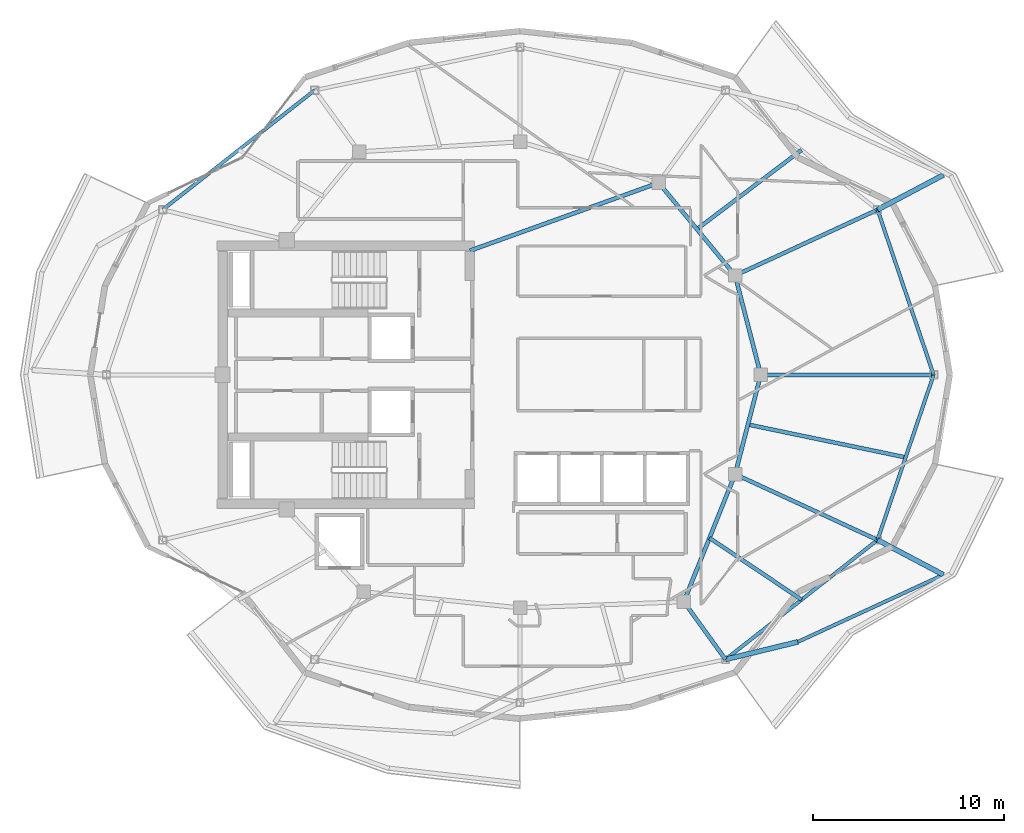
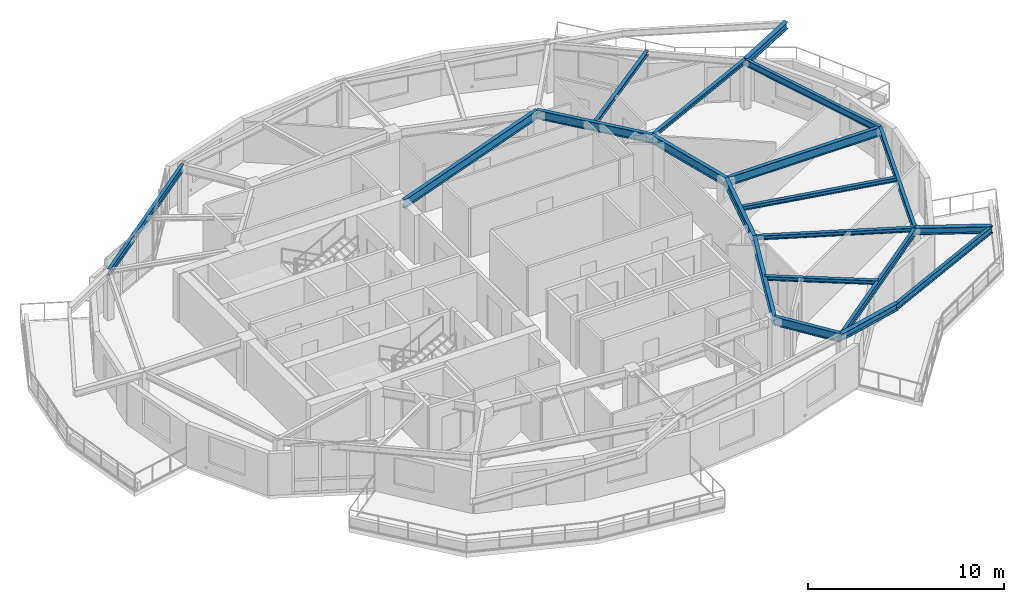
# One storey, part 4 of 14: 20 beams.
"""IFC4 building model written with IfcOpenShell, lengths in metres."""

from ifc_helpers import new_model, si_unit, direction, frame, origin, origin_2d, place, context, subcontext, project, spatial, i_section, extrude, material, material_profile, profile_set, type_object, element, save


model = new_model("IFC4")

# Units and contexts
model_context = context("Model", 3, precision=1e-05, world=origin(), true_north=direction((0.0, 1.0)))
body_context = subcontext(model_context, "Body", "Model", "MODEL_VIEW")
ifc_project = project(units=[si_unit("LENGTHUNIT", "METRE"), si_unit("AREAUNIT", "SQUARE_METRE"), si_unit("VOLUMEUNIT", "CUBIC_METRE"), si_unit("PLANEANGLEUNIT", "RADIAN"), si_unit("MASSUNIT", "GRAM", prefix="KILO")], contexts=[model_context])

# Site, building, storey
site_placement = place(None, origin())
site = spatial("IfcSite", under=ifc_project, at=site_placement, CompositionType="ELEMENT")
building_placement = place(site_placement, origin())
building = spatial("IfcBuilding", under=site, at=building_placement, Name="Kolvaren Gate Tower and Convention Centre", CompositionType="ELEMENT")
storey_placement = place(building_placement, frame((0.0, 0.0, 252.5)))
storey = spatial("IfcBuildingStorey", under=building, at=storey_placement, Name="L68", CompositionType="ELEMENT", Elevation=252.5)

# Beams
ifc_material = material(Name="Structural steel ASTM A992 Grade 345 MPa", Category="steel")
ifc_material_profile_1 = material_profile(ifc_material, i_section(OverallWidth=0.260009765625, OverallDepth=0.419921875, WebThickness=0.013427734375, FlangeThickness=0.0224609375, at=origin_2d()), Name="W410X132")
ifc_profile_set_1 = profile_set([ifc_material_profile_1], Name="Structural steel ASTM A992 Grade 345 MPa")
beam_type_1 = type_object("IfcBeamType", Name="STR-BM-W410X132", PredefinedType="BEAM", material=ifc_profile_set_1)
for number, where, z_axis, x_axis, name in (
    (1, (48.8388671875, 35.6435546875, 2.820556640625), (0.884160696862, 0.467182900077, 0.0), (-0.467182900077, 0.884160696862, 0.0), "Tower L69 Planted Balcony Outrigger Cantilever BC-1A"),
    (2, (40.877685546875, 12.100830078125, 2.820556640625), (0.971737499765, 0.236064041204, 0.0), (-0.236064041204, 0.971737499765, 0.0), "Tower L69 Planted Balcony Outrigger Cantilever BC-4A"),
    (3, (48.8388671875, 18.3564453125, 2.820556640625), (0.884160696862, -0.467182900077, 0.0), (0.467182900077, 0.884160696862, 0.0), "Tower L69 Planted Balcony Outrigger Cantilever BC-4B"),
):
    element("IfcBeam", number, at=place(storey_placement, frame(where, z_axis=z_axis, x_axis=x_axis)), inside=storey, type_object=beam_type_1, Name=name, PredefinedType="BEAM", context=body_context, shape_type="SweptSolid", body=[
        extrude(i_section(OverallWidth=0.260009765625, OverallDepth=0.419921875, WebThickness=0.013427734375, FlangeThickness=0.0224609375, at=origin_2d()), origin(), (0.0, 0.0, 1.0), 3.89990234375),
    ])
ifc_material_profile_2 = material_profile(ifc_material, i_section(OverallWidth=0.2119140625, OverallDepth=0.5439453125, WebThickness=0.01318359375, FlangeThickness=0.021240234375, at=origin_2d()), Name="W530X123")
ifc_profile_set_2 = profile_set([ifc_material_profile_2], Name="Structural steel ASTM A992 Grade 345 MPa")
beam_type_2 = type_object("IfcBeamType", Name="STR-BM-W530X123", PredefinedType="BEAM", material=ifc_profile_set_2)
beam_1_placement = place(storey_placement, frame((42.72509765625, 27.0, 2.758056640625), z_axis=(-0.250091133936, -0.968222301296, 0.0), x_axis=(0.968222301296, -0.250091133936, 0.0)))
element("IfcBeam", 4, at=beam_1_placement, inside=storey, type_object=beam_type_2, Name="Tower L68 Primary Ring Girder G-01", PredefinedType="BEAM", context=body_context, shape_type="SweptSolid", body=[
    extrude(i_section(OverallWidth=0.2119140625, OverallDepth=0.5439453125, WebThickness=0.01318359375, FlangeThickness=0.021240234375, at=origin_2d()), origin(), (0.0, 0.0, 1.0), 5.3701171875),
])
beam_2_placement = place(storey_placement, frame((41.382080078125, 32.199462890625, 2.758056640625), z_axis=(-0.635884066011, 0.771784590798, 0.0), x_axis=(-0.771784590798, -0.635884066011, 0.0)))
element("IfcBeam", 5, at=beam_2_placement, inside=storey, type_object=beam_type_2, Name="Tower L68 Primary Ring Girder G-02", PredefinedType="BEAM", context=body_context, shape_type="SweptSolid", body=[
    extrude(i_section(OverallWidth=0.2119140625, OverallDepth=0.5439453125, WebThickness=0.01318359375, FlangeThickness=0.021240234375, at=origin_2d()), origin(), (0.0, 0.0, 1.0), 6.291259765625),
])
beam_3_placement = place(storey_placement, frame((38.6982421875, 15.12060546875, 2.758056640625), z_axis=(0.372811100169, 0.927907260232, 0.0), x_axis=(-0.927907260232, 0.372811100169, 0.0)))
element("IfcBeam", 6, at=beam_3_placement, inside=storey, type_object=beam_type_2, Name="Tower L68 Primary Ring Girder G-09", PredefinedType="BEAM", context=body_context, shape_type="SweptSolid", body=[
    extrude(i_section(OverallWidth=0.2119140625, OverallDepth=0.5439453125, WebThickness=0.01318359375, FlangeThickness=0.021240234375, at=origin_2d()), origin(), (0.0, 0.0, 1.0), 7.198974609375),
])
beam_4_placement = place(storey_placement, frame((27.5, 33.5, 2.758056640625), z_axis=(0.940961479908, 0.338513653093, 0.0), x_axis=(-0.338513653093, 0.940961479908, 0.0)))
element("IfcBeam", 7, at=beam_4_placement, inside=storey, type_object=beam_type_2, Name="Tower L68 Primary Ring Girder G-10", PredefinedType="BEAM", context=body_context, shape_type="SweptSolid", body=[
    extrude(i_section(OverallWidth=0.2119140625, OverallDepth=0.5439453125, WebThickness=0.01318359375, FlangeThickness=0.021240234375, at=origin_2d()), origin(), (0.0, 0.0, 1.0), 10.501708984375),
])
beam_5_placement = place(storey_placement, frame((42.72509765625, 27.0, 2.758056640625), z_axis=(-0.250091133936, 0.968222301296, 0.0), x_axis=(-0.968222301296, -0.250091133936, 0.0)))
element("IfcBeam", 8, at=beam_5_placement, inside=storey, type_object=beam_type_2, Name="Tower L68 Primary Ring Girder G-12", PredefinedType="BEAM", context=body_context, shape_type="SweptSolid", body=[
    extrude(i_section(OverallWidth=0.2119140625, OverallDepth=0.5439453125, WebThickness=0.01318359375, FlangeThickness=0.021240234375, at=origin_2d()), origin(), (0.0, 0.0, 1.0), 5.3701171875),
])
beam_6_placement = place(storey_placement, frame((42.72509765625, 27.0, 2.758056640625), z_axis=(1.0, 0.0, 0.0), x_axis=(0.0, 1.0, 0.0)))
element("IfcBeam", 9, at=beam_6_placement, inside=storey, type_object=beam_type_2, Name="Tower L68 Radial Floor Girder RB-01", PredefinedType="BEAM", context=body_context, shape_type="SweptSolid", body=[
    extrude(i_section(OverallWidth=0.2119140625, OverallDepth=0.5439453125, WebThickness=0.01318359375, FlangeThickness=0.021240234375, at=origin_2d()), origin(), (0.0, 0.0, 1.0), 9.0498046875),
])
beam_7_placement = place(storey_placement, frame((38.6982421875, 15.12060546875, 2.758056640625), z_axis=(0.58522483817, -0.81087106792, 0.0), x_axis=(0.81087106792, 0.58522483817, 0.0)))
element("IfcBeam", 10, at=beam_7_placement, inside=storey, type_object=beam_type_2, Name="Tower L68 Radial Floor Girder RB-11", PredefinedType="BEAM", context=body_context, shape_type="SweptSolid", body=[
    extrude(i_section(OverallWidth=0.2119140625, OverallDepth=0.5439453125, WebThickness=0.01318359375, FlangeThickness=0.021240234375, at=origin_2d()), origin(), (0.0, 0.0, 1.0), 3.72412109375),
])
ifc_material_profile_3 = material_profile(ifc_material, i_section(OverallWidth=0.202880859375, OverallDepth=0.251953125, WebThickness=0.008056640625, FlangeThickness=0.013427734375, at=origin_2d()), Name="W250X58")
ifc_profile_set_3 = profile_set([ifc_material_profile_3], Name="Structural steel ASTM A992 Grade 345 MPa")
beam_type_3 = type_object("IfcBeamType", Name="STR-JS-W250X58", PredefinedType="JOIST", material=ifc_profile_set_3)
for number, where, z_axis, x_axis, name in (
    (11, (41.382080078125, 32.199462890625, 2.904052734375), (0.907843645886, 0.419308853502, 0.0), (-0.419308853502, 0.907843645886, 0.0), "Tower L68 Radial Floor Girder RB-02"),
    (12, (41.382080078125, 21.800537109375, 2.904052734375), (0.907843645886, -0.419308853502, 0.0), (0.419308853502, 0.907843645886, 0.0), "Tower L68 Radial Floor Girder RB-12"),
):
    element("IfcBeam", number, at=place(storey_placement, frame(where, z_axis=z_axis, x_axis=x_axis)), inside=storey, type_object=beam_type_3, Name=name, PredefinedType="JOIST", context=body_context, shape_type="SweptSolid", body=[
        extrude(i_section(OverallWidth=0.202880859375, OverallDepth=0.251953125, WebThickness=0.008056640625, FlangeThickness=0.013427734375, at=origin_2d()), origin(), (0.0, 0.0, 1.0), 8.213623046875),
    ])
beam_8_placement = place(storey_placement, frame((39.3818359375, 34.627197265625, 2.904052734375), z_axis=(0.797403149346, 0.603446946643, 0.0), x_axis=(-0.603446946643, 0.797403149346, 0.0)))
element("IfcBeam", 13, at=beam_8_placement, inside=storey, type_object=beam_type_3, Name="Tower L68 Secondary Composite Floor Joist J-02.1", PredefinedType="JOIST", context=body_context, shape_type="SweptSolid", body=[
    extrude(i_section(OverallWidth=0.202880859375, OverallDepth=0.251953125, WebThickness=0.008056640625, FlangeThickness=0.013427734375, at=origin_2d()), origin(), (0.0, 0.0, 1.0), 6.86767578125),
])
beam_9_placement = place(storey_placement, frame((40.040283203125, 18.46044921875, 2.904052734375), z_axis=(0.830454207472, -0.557086895638, 0.0), x_axis=(0.557086895638, 0.830454207472, 0.0)))
element("IfcBeam", 14, at=beam_9_placement, inside=storey, type_object=beam_type_3, Name="Tower L68 Secondary Composite Floor Joist J-11.1", PredefinedType="JOIST", context=body_context, shape_type="SweptSolid", body=[
    extrude(i_section(OverallWidth=0.202880859375, OverallDepth=0.251953125, WebThickness=0.008056640625, FlangeThickness=0.013427734375, at=origin_2d()), origin(), (0.0, 0.0, 1.0), 5.801513671875),
])
beam_10_placement = place(storey_placement, frame((42.0537109375, 24.400146484375, 2.904052734375), z_axis=(0.978920872293, -0.204239873163, 0.0), x_axis=(0.204239873163, 0.978920872293, 0.0)))
element("IfcBeam", 15, at=beam_10_placement, inside=storey, type_object=beam_type_3, Name="Tower L68 Secondary Composite Floor Joist J-12.1", PredefinedType="JOIST", context=body_context, shape_type="SweptSolid", body=[
    extrude(i_section(OverallWidth=0.202880859375, OverallDepth=0.251953125, WebThickness=0.008056640625, FlangeThickness=0.013427734375, at=origin_2d()), origin(), (0.0, 0.0, 1.0), 8.430908203125),
])
ifc_material_profile_4 = material_profile(ifc_material, i_section(OverallWidth=0.180908203125, OverallDepth=0.4169921875, WebThickness=0.010986328125, FlangeThickness=0.018310546875, at=origin_2d()), Name="W410X85")
ifc_profile_set_4 = profile_set([ifc_material_profile_4], Name="Structural steel ASTM A992 Grade 345 MPa")
beam_type_4 = type_object("IfcBeamType", Name="STR-SP-W410X85", PredefinedType="SPANDREL", material=ifc_profile_set_4)
beam_11_placement = place(storey_placement, frame((51.77490234375, 27.0, 2.821533203125), z_axis=(-0.32163038352, 0.946865300028, 0.0), x_axis=(-0.946865300028, -0.32163038352, 0.0)))
element("IfcBeam", 16, at=beam_11_placement, inside=storey, type_object=beam_type_4, Name="Tower L68 Perimeter Spandrel Beam SP-01", PredefinedType="SPANDREL", context=body_context, shape_type="SweptSolid", body=[
    extrude(i_section(OverallWidth=0.180908203125, OverallDepth=0.4169921875, WebThickness=0.010986328125, FlangeThickness=0.018310546875, at=origin_2d()), origin(), (0.0, 0.0, 1.0), 9.128662109375),
])
for number, where, z_axis, x_axis, name in (
    (17, (19.372314453125, 41.899169921875, 2.821533203125), (-0.786299093723, -0.61784604491, 0.0), (0.61784604491, -0.786299093723, 0.0), "Tower L68 Perimeter Spandrel Beam SP-05"),
    (18, (40.877685546875, 12.100830078125, 2.821533203125), (0.786299093723, 0.61784604491, 0.0), (-0.61784604491, 0.786299093723, 0.0), "Tower L68 Perimeter Spandrel Beam SP-11"),
):
    element("IfcBeam", number, at=place(storey_placement, frame(where, z_axis=z_axis, x_axis=x_axis)), inside=storey, type_object=beam_type_4, Name=name, PredefinedType="SPANDREL", context=body_context, shape_type="SweptSolid", body=[
        extrude(i_section(OverallWidth=0.180908203125, OverallDepth=0.4169921875, WebThickness=0.010986328125, FlangeThickness=0.018310546875, at=origin_2d()), origin(), (0.0, 0.0, 1.0), 10.124755859375),
    ])
beam_12_placement = place(storey_placement, frame((48.8388671875, 18.3564453125, 2.821533203125), z_axis=(0.32163038352, 0.946865300028, 0.0), x_axis=(-0.946865300028, 0.32163038352, 0.0)))
element("IfcBeam", 19, at=beam_12_placement, inside=storey, type_object=beam_type_4, Name="Tower L68 Perimeter Spandrel Beam SP-12", PredefinedType="SPANDREL", context=body_context, shape_type="SweptSolid", body=[
    extrude(i_section(OverallWidth=0.180908203125, OverallDepth=0.4169921875, WebThickness=0.010986328125, FlangeThickness=0.018310546875, at=origin_2d()), origin(), (0.0, 0.0, 1.0), 9.128662109375),
])
beam_13_placement = place(storey_placement, frame((44.66748046875, 13.021484375, 2.822021484375), z_axis=(0.908132188817, 0.41868356504, 0.0), x_axis=(-0.41868356504, 0.908132188817, 0.0)))
element("IfcBeam", 20, at=beam_13_placement, inside=storey, type_object=beam_type_4, Name="Tower L69 Planted Balcony Header Tie Beam BT-4", PredefinedType="SPANDREL", context=body_context, shape_type="SweptSolid", body=[
    extrude(i_section(OverallWidth=0.180908203125, OverallDepth=0.4169921875, WebThickness=0.010986328125, FlangeThickness=0.018310546875, at=origin_2d()), origin(), (0.0, 0.0, 1.0), 8.390380859375),
])

save(model, "model.ifc")
